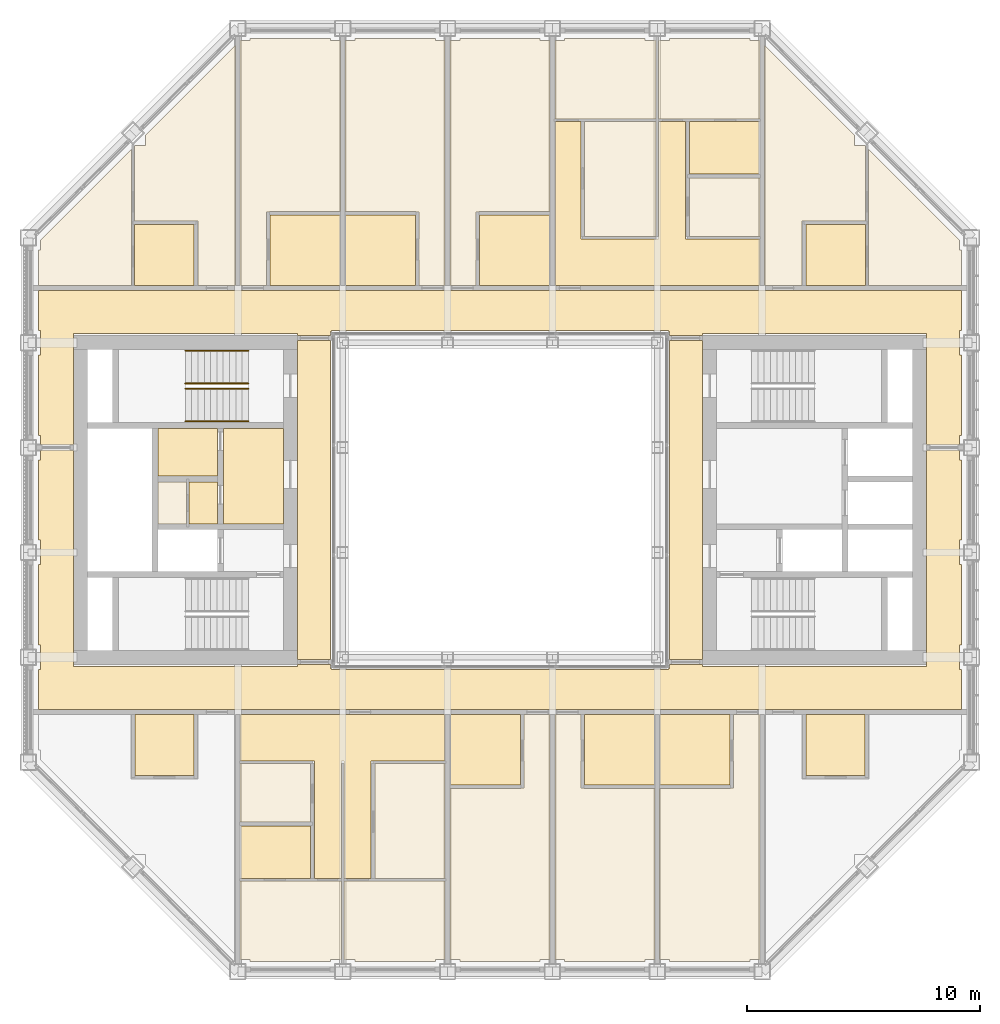
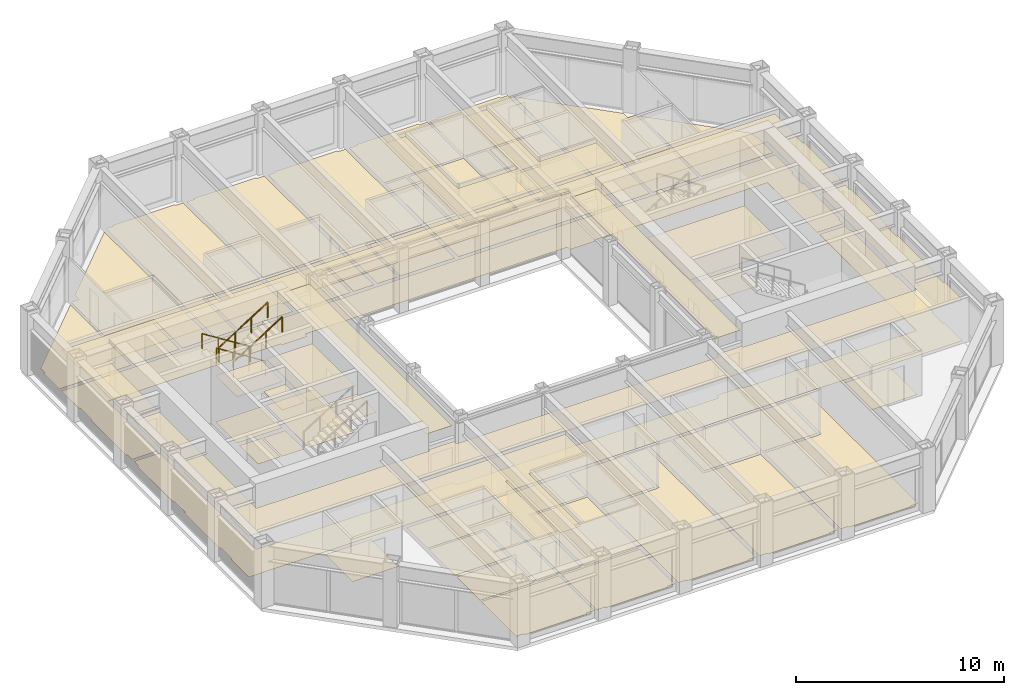
# One storey, part 16 of 18: 6 coverings, 4 railings.
"""IFC4 building model written with IfcOpenShell, lengths in metres."""

from ifc_helpers import new_model, si_unit, direction, frame, origin, origin_2d, place, context, subcontext, project, spatial, line, indexed_curve, circle, outline, extrude, material, layer, layer_set, type_object, element, save


model = new_model("IFC4")

# Units and contexts
model_context = context("Model", 3, precision=1e-05, world=origin(), true_north=direction((0.0, 1.0)))
body_context = subcontext(model_context, "Body", "Model", "MODEL_VIEW")
ifc_project = project(units=[si_unit("LENGTHUNIT", "METRE"), si_unit("AREAUNIT", "SQUARE_METRE"), si_unit("VOLUMEUNIT", "CUBIC_METRE"), si_unit("PLANEANGLEUNIT", "RADIAN"), si_unit("MASSUNIT", "GRAM", prefix="KILO")], contexts=[model_context])

# Site, building, storey
site_placement = place(None, origin())
site = spatial("IfcSite", under=ifc_project, at=site_placement, CompositionType="ELEMENT")
building_placement = place(site_placement, origin())
building = spatial("IfcBuilding", under=site, at=building_placement, Name="Msasa Ring Tower", CompositionType="ELEMENT")
storey_placement = place(building_placement, frame((0.0, 0.0, 227.050048828125)))
storey = spatial("IfcBuildingStorey", under=building, at=storey_placement, Name="L59", CompositionType="ELEMENT", Elevation=227.050048828125)

# Coverings
ifc_material_1 = material(Name="Gypsum plasterboard on a steel suspension grid", Category="steel")
ifc_layer_1 = layer(ifc_material_1, 0.014892578125)
ifc_layer_set_1 = layer_set([ifc_layer_1], Name="C1 SUSPENDED PLASTERBOARD CEILING 15")
covering_type_1 = type_object("IfcCoveringType", Name="C1 SUSPENDED PLASTERBOARD CEILING 15", PredefinedType="CEILING", material=ifc_layer_set_1)
covering_1_placement = place(storey_placement, frame((0.0, 0.0, 2.39990234375)))
element("IfcCovering", 1, at=covering_1_placement, inside=storey, type_object=covering_type_1, Name="Suspended Plasterboard Ceiling 15 circulation L59", PredefinedType="CEILING", context=body_context, shape_type="SweptSolid", body=[
    extrude(outline(indexed_curve([(8.699462890625, -7.150390625), (18.300537109375, -7.150390625), (18.300537109375, 2.1494140625), (19.724609375, 2.1494140625), (19.724609375, 1.724609375), (19.799560546875, 1.724609375), (19.799560546875, -1.724609375), (19.724609375, -1.724609375), (19.724609375, -2.775390625), (19.799560546875, -2.775390625), (19.799560546875, -6.224609375), (19.724609375, -6.224609375), (19.724609375, -7.275390625), (19.799560546875, -7.275390625), (19.799560546875, -8.99951171875), (-19.799560546875, -8.99951171875), (-19.799560546875, -7.275390625), (-19.724609375, -7.275390625), (-19.724609375, -6.224609375), (-19.799560546875, -6.224609375), (-19.799560546875, -2.775390625), (-19.724609375, -2.775390625), (-19.724609375, -1.724609375), (-19.799560546875, -1.724609375), (-19.799560546875, 1.724609375), (-19.724609375, 1.724609375), (-19.724609375, 2.1494140625), (-18.300537109375, 2.1494140625), (-18.300537109375, -7.150390625), (-8.699462890625, -7.150390625), (-8.699462890625, -7.050537109375), (-7.280029296875, -7.050537109375), (-7.280517578125, -7.23046875), (-7.22998046875, -7.23046875), (-7.22998046875, -7.280029296875), (7.22998046875, -7.280029296875), (7.22998046875, -7.23046875), (7.280517578125, -7.23046875), (7.280029296875, -7.050537109375), (8.699462890625, -7.050537109375)], segments=[line(1, 2, 3, 4, 5, 6, 7, 8, 9, 10, 11, 12, 13, 14, 15, 16, 17, 18, 19, 20, 21, 22, 23, 24, 25, 26, 27, 28, 29, 30, 31, 32, 33, 34, 35, 36, 37, 38, 39, 40, 1)], self_intersect=False)), origin(), (0.0, 0.0, 1.0), 0.01513671875),
    extrude(outline(indexed_curve([(19.799560546875, 7.275390625), (19.724609375, 7.275390625), (19.724609375, 6.224609375), (19.799560546875, 6.224609375), (19.799560546875, 2.775390625), (19.724609375, 2.775390625), (19.724609375, 2.3505859375), (18.300537109375, 2.3505859375), (18.300537109375, 7.150390625), (8.699462890625, 7.150390625), (8.699462890625, 7.050537109375), (7.280029296875, 7.050537109375), (7.280517578125, 7.23046875), (7.22998046875, 7.23046875), (7.22998046875, 7.280029296875), (-7.22998046875, 7.280029296875), (-7.22998046875, 7.23046875), (-7.280517578125, 7.23046875), (-7.280029296875, 7.050537109375), (-8.699462890625, 7.050537109375), (-8.699462890625, 7.150390625), (-18.300537109375, 7.150390625), (-18.300537109375, 2.3505859375), (-19.724609375, 2.3505859375), (-19.724609375, 2.775390625), (-19.799560546875, 2.775390625), (-19.799560546875, 6.224609375), (-19.724609375, 6.224609375), (-19.724609375, 7.275390625), (-19.799560546875, 7.275390625), (-19.799560546875, 8.99951171875), (19.799560546875, 8.99951171875)], segments=[line(1, 2, 3, 4, 5, 6, 7, 8, 9, 10, 11, 12, 13, 14, 15, 16, 17, 18, 19, 20, 21, 22, 23, 24, 25, 26, 27, 28, 29, 30, 31, 32, 1)], self_intersect=False)), origin(), (0.0, 0.0, 1.0), 0.01513671875),
    extrude(outline(indexed_curve([(-11.87451171875, -3.074462890625), (-11.87451171875, -1.275390625), (-9.300537109375, -1.275390625), (-9.300537109375, -3.074462890625)], segments=[line(1, 2, 3, 4, 1)], self_intersect=False)), origin(), (0.0, 0.0, 1.0), 0.01513671875),
    extrude(outline(indexed_curve([(-5.530517578125, -16.244384765625), (-6.689453125, -16.244384765625), (-6.689453125, -11.199462890625), (-6.810546875, -11.199462890625), (-6.810546875, -16.244384765625), (-7.969482421875, -16.244384765625), (-7.969482421875, -11.199462890625), (-11.1494140625, -11.199462890625), (-11.1494140625, -9.200439453125), (-2.3505859375, -9.200439453125), (-2.3505859375, -11.199462890625), (-5.530517578125, -11.199462890625)], segments=[line(1, 2, 3, 4, 5, 6, 7, 8, 9, 10, 11, 12, 1)], self_intersect=False)), origin(), (0.0, 0.0, 1.0), 0.01513671875),
    extrude(outline(indexed_curve([(3.469482421875, 16.244384765625), (3.469482421875, 11.199462890625), (6.810546875, 11.199462890625), (6.810546875, 16.244384765625), (7.969482421875, 16.244384765625), (7.969482421875, 11.199462890625), (11.1494140625, 11.199462890625), (11.1494140625, 9.200439453125), (2.3505859375, 9.200439453125), (2.3505859375, 16.244384765625)], segments=[line(1, 2, 3, 4, 5, 6, 7, 8, 9, 10, 1)], self_intersect=False)), origin(), (0.0, 0.0, 1.0), 0.01513671875),
    extrude(outline(indexed_curve([(9.300537109375, -3.074462890625), (9.300537109375, -1.275390625), (11.87451171875, -1.275390625), (11.87451171875, -3.074462890625)], segments=[line(1, 2, 3, 4, 1)], self_intersect=False)), origin(), (0.0, 0.0, 1.0), 0.01513671875),
    extrude(outline(indexed_curve([(9.300537109375, -1.0244140625), (9.300537109375, 3.074462890625), (14.674560546875, 3.074462890625), (14.674560546875, -1.0244140625)], segments=[line(1, 2, 3, 4, 1)], self_intersect=False)), origin(), (0.0, 0.0, 1.0), 0.01513671875),
])
covering_2_placement = place(storey_placement, frame((0.0, 0.0, 3.199951171875)))
element("IfcCovering", 2, at=covering_2_placement, inside=storey, type_object=covering_type_1, Name="Suspended Plasterboard Ceiling 15 public rooms L59", PredefinedType="CEILING", context=body_context, shape_type="SweptSolid", body=[
    extrude(outline(indexed_curve([(-7.280029296875, 6.849609375), (-7.280029296875, -6.849609375), (-8.699462890625, -6.849609375), (-8.699462890625, 6.849609375)], segments=[line(1, 2, 3, 4, 1)], self_intersect=False)), origin(), (0.0, 0.0, 1.0), 0.014892578125),
    extrude(outline(indexed_curve([(8.699462890625, 6.849609375), (8.699462890625, -6.849609375), (7.280029296875, -6.849609375), (7.280029296875, 6.849609375)], segments=[line(1, 2, 3, 4, 1)], self_intersect=False)), origin(), (0.0, 0.0, 1.0), 0.014892578125),
])
ifc_material_2 = material(Name="Mineral fibre ceiling tiles on an exposed steel grid", Category="steel")
ifc_layer_2 = layer(ifc_material_2, 0.02001953125)
ifc_layer_set_2 = layer_set([ifc_layer_2], Name="C3 ACOUSTIC MINERAL FIBRE TILE CEILING 20")
covering_type_2 = type_object("IfcCoveringType", Name="C3 ACOUSTIC MINERAL FIBRE TILE CEILING 20", PredefinedType="CEILING", material=ifc_layer_set_2)
covering_3_placement = place(storey_placement, frame((0.0, 0.0, 2.699951171875)))
element("IfcCovering", 3, at=covering_3_placement, inside=storey, type_object=covering_type_2, Name="Acoustic Mineral Fibre Tile Ceiling 20 L59", PredefinedType="CEILING", context=body_context, shape_type="SweptSolid", body=[
    extrude(outline(indexed_curve([(-12.12548828125, 1.025390625), (-14.674560546875, 1.025390625), (-14.674560546875, 3.074462890625), (-12.12548828125, 3.074462890625)], segments=[line(1, 2, 3, 4, 1)], self_intersect=False)), origin(), (0.0, 0.0, 1.0), 0.02001953125),
    extrude(outline(indexed_curve([(-12.12548828125, -1.0244140625), (-13.344482421875, -1.0244140625), (-13.344482421875, 0.7744140625), (-12.12548828125, 0.7744140625)], segments=[line(1, 2, 3, 4, 1)], self_intersect=False)), origin(), (0.0, 0.0, 1.0), 0.02001953125),
    extrude(outline(indexed_curve([(-9.300537109375, -1.0244140625), (-11.87451171875, -1.0244140625), (-11.87451171875, 3.074462890625), (-9.300537109375, 3.074462890625)], segments=[line(1, 2, 3, 4, 1)], self_intersect=False)), origin(), (0.0, 0.0, 1.0), 0.02001953125),
])
ifc_material_3 = material(Name="Wool-blend carpet on felt underlay", Category="textile")
ifc_layer_3 = layer(ifc_material_3, 0.011962890625)
ifc_layer_set_3 = layer_set([ifc_layer_3], Name="F2 CARPET ON UNDERLAY 12")
covering_type_3 = type_object("IfcCoveringType", Name="F2 CARPET ON UNDERLAY 12", PredefinedType="FLOORING", material=ifc_layer_set_3)
covering_4_placement = place(storey_placement, origin())
element("IfcCovering", 4, at=covering_4_placement, inside=storey, type_object=covering_type_3, Name="Carpet On Underlay 12 L59", PredefinedType="FLOORING", context=body_context, shape_type="SweptSolid", body=[
    extrude(outline(indexed_curve([(8.699462890625, -7.150390625), (18.300537109375, -7.150390625), (18.300537109375, 2.1494140625), (19.724609375, 2.1494140625), (19.724609375, 1.724609375), (19.799560546875, 1.724609375), (19.799560546875, -1.724609375), (19.724609375, -1.724609375), (19.724609375, -2.775390625), (19.799560546875, -2.775390625), (19.799560546875, -6.224609375), (19.724609375, -6.224609375), (19.724609375, -7.275390625), (19.799560546875, -7.275390625), (19.799560546875, -8.99951171875), (-19.799560546875, -8.99951171875), (-19.799560546875, -7.275390625), (-19.724609375, -7.275390625), (-19.724609375, -6.224609375), (-19.799560546875, -6.224609375), (-19.799560546875, -2.775390625), (-19.724609375, -2.775390625), (-19.724609375, -1.724609375), (-19.799560546875, -1.724609375), (-19.799560546875, 1.724609375), (-19.724609375, 1.724609375), (-19.724609375, 2.1494140625), (-18.300537109375, 2.1494140625), (-18.300537109375, -7.150390625), (-8.699462890625, -7.150390625), (-8.699462890625, -7.050537109375), (-7.280029296875, -7.050537109375), (-7.280517578125, -7.23046875), (-7.22998046875, -7.23046875), (-7.22998046875, -7.280029296875), (7.22998046875, -7.280029296875), (7.22998046875, -7.23046875), (7.280517578125, -7.23046875), (7.280029296875, -7.050537109375), (8.699462890625, -7.050537109375)], segments=[line(1, 2, 3, 4, 5, 6, 7, 8, 9, 10, 11, 12, 13, 14, 15, 16, 17, 18, 19, 20, 21, 22, 23, 24, 25, 26, 27, 28, 29, 30, 31, 32, 33, 34, 35, 36, 37, 38, 39, 40, 1)], self_intersect=False)), origin(), (0.0, 0.0, 1.0), 0.011962890625),
    extrude(outline(indexed_curve([(18.300537109375, 2.3505859375), (18.300537109375, 7.150390625), (8.699462890625, 7.150390625), (8.699462890625, 7.050537109375), (7.280029296875, 7.050537109375), (7.280517578125, 7.23046875), (7.22998046875, 7.23046875), (7.22998046875, 7.280029296875), (-7.22998046875, 7.280029296875), (-7.22998046875, 7.23046875), (-7.280517578125, 7.23046875), (-7.280029296875, 7.050537109375), (-8.699462890625, 7.050537109375), (-8.699462890625, 7.150390625), (-18.300537109375, 7.150390625), (-18.300537109375, 2.3505859375), (-19.724609375, 2.3505859375), (-19.724609375, 2.775390625), (-19.799560546875, 2.775390625), (-19.799560546875, 6.224609375), (-19.724609375, 6.224609375), (-19.724609375, 7.275390625), (-19.799560546875, 7.275390625), (-19.799560546875, 8.99951171875), (19.799560546875, 8.99951171875), (19.799560546875, 7.275390625), (19.724609375, 7.275390625), (19.724609375, 6.224609375), (19.799560546875, 6.224609375), (19.799560546875, 2.775390625), (19.724609375, 2.775390625), (19.724609375, 2.3505859375)], segments=[line(1, 2, 3, 4, 5, 6, 7, 8, 9, 10, 11, 12, 13, 14, 15, 16, 17, 18, 19, 20, 21, 22, 23, 24, 25, 26, 27, 28, 29, 30, 31, 32, 1)], self_intersect=False)), origin(), (0.0, 0.0, 1.0), 0.011962890625),
    extrude(outline(indexed_curve([(-19.799560546875, 10.724609375), (-19.724609375, 10.724609375), (-19.724609375, 11.138427734375), (-15.810546875, 15.052490234375), (-15.810546875, 9.200439453125), (-19.799560546875, 9.200439453125)], segments=[line(1, 2, 3, 4, 5, 6, 1)], self_intersect=False)), origin(), (0.0, 0.0, 1.0), 0.011962890625),
    extrude(outline(indexed_curve([(-12.969482421875, 9.200439453125), (-12.969482421875, 11.98046875), (-15.689453125, 11.98046875), (-15.689453125, 15.17333984375), (-15.638427734375, 15.224609375), (-15.224609375, 15.224609375), (-15.224609375, 15.638427734375), (-11.3505859375, 19.512451171875), (-11.3505859375, 9.200439453125)], segments=[line(1, 2, 3, 4, 5, 6, 7, 8, 9, 1)], self_intersect=False)), origin(), (0.0, 0.0, 1.0), 0.011962890625),
    extrude(outline(indexed_curve([(-13.45556640625, -1.0244140625), (-14.674560546875, -1.0244140625), (-14.674560546875, 0.7744140625), (-13.45556640625, 0.7744140625)], segments=[line(1, 2, 3, 4, 1)], self_intersect=False)), origin(), (0.0, 0.0, 1.0), 0.011962890625),
    extrude(outline(indexed_curve([(-6.810546875, -16.35546875), (-6.810546875, -19.724609375), (-7.275390625, -19.724609375), (-7.275390625, -19.799560546875), (-10.724609375, -19.799560546875), (-10.724609375, -19.724609375), (-11.138427734375, -19.724609375), (-11.1494140625, -19.71337890625), (-11.1494140625, -16.35546875)], segments=[line(1, 2, 3, 4, 5, 6, 7, 8, 9, 1)], self_intersect=False)), origin(), (0.0, 0.0, 1.0), 0.011962890625),
    extrude(outline(indexed_curve([(-6.810546875, -16.244384765625), (-7.969482421875, -16.244384765625), (-7.969482421875, -11.199462890625), (-11.1494140625, -11.199462890625), (-11.1494140625, -9.200439453125), (-2.3505859375, -9.200439453125), (-2.3505859375, -11.199462890625), (-5.530517578125, -11.199462890625), (-5.530517578125, -16.244384765625), (-6.689453125, -16.244384765625), (-6.689453125, -11.199462890625), (-6.810546875, -11.199462890625)], segments=[line(1, 2, 3, 4, 5, 6, 7, 8, 9, 10, 11, 12, 1)], self_intersect=False)), origin(), (0.0, 0.0, 1.0), 0.011962890625),
    extrude(outline(indexed_curve([(-8.130615234375, -13.819580078125), (-11.1494140625, -13.819580078125), (-11.1494140625, -11.305419921875), (-8.130615234375, -11.305419921875)], segments=[line(1, 2, 3, 4, 1)], self_intersect=False)), origin(), (0.0, 0.0, 1.0), 0.011962890625),
    extrude(outline(indexed_curve([(-11.1494140625, 19.71337890625), (-11.138427734375, 19.724609375), (-10.724609375, 19.724609375), (-10.724609375, 19.799560546875), (-7.275390625, 19.799560546875), (-7.275390625, 19.724609375), (-6.8505859375, 19.724609375), (-6.8505859375, 12.37548828125), (-9.89990234375, 12.37548828125), (-9.89990234375, 12.3505859375), (-10.025390625, 12.35009765625), (-10.025390625, 9.200439453125), (-11.1494140625, 9.200439453125)], segments=[line(1, 2, 3, 4, 5, 6, 7, 8, 9, 10, 11, 12, 13, 1)], self_intersect=False)), origin(), (0.0, 0.0, 1.0), 0.011962890625),
    extrude(outline(indexed_curve([(-6.224609375, -19.799560546875), (-6.224609375, -19.724609375), (-6.689453125, -19.724609375), (-6.689453125, -16.35546875), (-2.3505859375, -16.35546875), (-2.3505859375, -19.724609375), (-2.775390625, -19.724609375), (-2.775390625, -19.799560546875)], segments=[line(1, 2, 3, 4, 5, 6, 7, 8, 1)], self_intersect=False)), origin(), (0.0, 0.0, 1.0), 0.011962890625),
    extrude(outline(indexed_curve([(-2.3505859375, 9.200439453125), (-3.474609375, 9.200439453125), (-3.474609375, 12.35009765625), (-3.60009765625, 12.3505859375), (-3.60009765625, 12.37548828125), (-6.6494140625, 12.37548828125), (-6.6494140625, 19.724609375), (-6.224609375, 19.724609375), (-6.224609375, 19.799560546875), (-2.775390625, 19.799560546875), (-2.775390625, 19.724609375), (-2.3505859375, 19.724609375)], segments=[line(1, 2, 3, 4, 5, 6, 7, 8, 9, 10, 11, 12, 1)], self_intersect=False)), origin(), (0.0, 0.0, 1.0), 0.011962890625),
    extrude(outline(indexed_curve([(2.1494140625, -19.724609375), (1.724609375, -19.724609375), (1.724609375, -19.799560546875), (-1.724609375, -19.799560546875), (-1.724609375, -19.724609375), (-2.1494140625, -19.724609375), (-2.1494140625, -12.37548828125), (0.89990234375, -12.37548828125), (0.89990234375, -12.3505859375), (1.025390625, -12.35009765625), (1.025390625, -9.200439453125), (2.1494140625, -9.200439453125)], segments=[line(1, 2, 3, 4, 5, 6, 7, 8, 9, 10, 11, 12, 1)], self_intersect=False)), origin(), (0.0, 0.0, 1.0), 0.011962890625),
    extrude(outline(indexed_curve([(-2.1494140625, 19.724609375), (-1.724609375, 19.724609375), (-1.724609375, 19.799560546875), (1.724609375, 19.799560546875), (1.724609375, 19.724609375), (2.1494140625, 19.724609375), (2.1494140625, 12.37548828125), (-0.89990234375, 12.37548828125), (-0.89990234375, 12.3505859375), (-1.025390625, 12.35009765625), (-1.025390625, 9.200439453125), (-2.1494140625, 9.200439453125)], segments=[line(1, 2, 3, 4, 5, 6, 7, 8, 9, 10, 11, 12, 1)], self_intersect=False)), origin(), (0.0, 0.0, 1.0), 0.011962890625),
    extrude(outline(indexed_curve([(6.810546875, 16.244384765625), (7.969482421875, 16.244384765625), (7.969482421875, 11.199462890625), (11.1494140625, 11.199462890625), (11.1494140625, 9.200439453125), (2.3505859375, 9.200439453125), (2.3505859375, 16.244384765625), (3.469482421875, 16.244384765625), (3.469482421875, 11.199462890625), (6.810546875, 11.199462890625)], segments=[line(1, 2, 3, 4, 5, 6, 7, 8, 9, 10, 1)], self_intersect=False)), origin(), (0.0, 0.0, 1.0), 0.011962890625),
    extrude(outline(indexed_curve([(6.224609375, 19.799560546875), (6.224609375, 19.724609375), (6.689453125, 19.724609375), (6.689453125, 16.35546875), (2.3505859375, 16.35546875), (2.3505859375, 19.724609375), (2.775390625, 19.724609375), (2.775390625, 19.799560546875)], segments=[line(1, 2, 3, 4, 5, 6, 7, 8, 1)], self_intersect=False)), origin(), (0.0, 0.0, 1.0), 0.011962890625),
    extrude(outline(indexed_curve([(2.3505859375, -9.200439453125), (3.474609375, -9.200439453125), (3.474609375, -12.35009765625), (3.60009765625, -12.3505859375), (3.60009765625, -12.37548828125), (6.6494140625, -12.37548828125), (6.6494140625, -19.724609375), (6.224609375, -19.724609375), (6.224609375, -19.799560546875), (2.775390625, -19.799560546875), (2.775390625, -19.724609375), (2.3505859375, -19.724609375)], segments=[line(1, 2, 3, 4, 5, 6, 7, 8, 9, 10, 11, 12, 1)], self_intersect=False)), origin(), (0.0, 0.0, 1.0), 0.011962890625),
    extrude(outline(indexed_curve([(6.810546875, 19.724609375), (7.275390625, 19.724609375), (7.275390625, 19.799560546875), (10.724609375, 19.799560546875), (10.724609375, 19.724609375), (11.138427734375, 19.724609375), (11.1494140625, 19.71337890625), (11.1494140625, 16.35546875), (6.810546875, 16.35546875)], segments=[line(1, 2, 3, 4, 5, 6, 7, 8, 9, 1)], self_intersect=False)), origin(), (0.0, 0.0, 1.0), 0.011962890625),
    extrude(outline(indexed_curve([(11.1494140625, -9.200439453125), (11.1494140625, -19.71337890625), (11.138427734375, -19.724609375), (10.724609375, -19.724609375), (10.724609375, -19.799560546875), (7.275390625, -19.799560546875), (7.275390625, -19.724609375), (6.8505859375, -19.724609375), (6.8505859375, -12.37548828125), (9.89990234375, -12.37548828125), (9.89990234375, -12.3505859375), (10.025390625, -12.35009765625), (10.025390625, -9.200439453125)], segments=[line(1, 2, 3, 4, 5, 6, 7, 8, 9, 10, 11, 12, 13, 1)], self_intersect=False)), origin(), (0.0, 0.0, 1.0), 0.011962890625),
    extrude(outline(indexed_curve([(11.1494140625, 13.819580078125), (11.1494140625, 11.305419921875), (8.130615234375, 11.305419921875), (8.130615234375, 13.819580078125)], segments=[line(1, 2, 3, 4, 1)], self_intersect=False)), origin(), (0.0, 0.0, 1.0), 0.011962890625),
    extrude(outline(indexed_curve([(15.224609375, 15.638427734375), (15.224609375, 15.224609375), (15.638427734375, 15.224609375), (15.689453125, 15.17333984375), (15.689453125, 11.98046875), (12.969482421875, 11.98046875), (12.969482421875, 9.200439453125), (11.3505859375, 9.200439453125), (11.3505859375, 19.512451171875)], segments=[line(1, 2, 3, 4, 5, 6, 7, 8, 9, 1)], self_intersect=False)), origin(), (0.0, 0.0, 1.0), 0.011962890625),
    extrude(outline(indexed_curve([(19.799560546875, 9.200439453125), (15.810546875, 9.200439453125), (15.810546875, 15.052490234375), (19.724609375, 11.138427734375), (19.724609375, 10.724609375), (19.799560546875, 10.724609375)], segments=[line(1, 2, 3, 4, 5, 6, 1)], self_intersect=False)), origin(), (0.0, 0.0, 1.0), 0.011962890625),
])
ifc_material_4 = material(Name="Porcelain floor tiles in adhesive", Category="ceramic")
ifc_layer_4 = layer(ifc_material_4, 0.010009765625)
ifc_layer_set_4 = layer_set([ifc_layer_4], Name="F4 PORCELAIN TILE ON ADHESIVE 10")
covering_type_4 = type_object("IfcCoveringType", Name="F4 PORCELAIN TILE ON ADHESIVE 10", PredefinedType="FLOORING", material=ifc_layer_set_4)
covering_5_placement = place(storey_placement, origin())
element("IfcCovering", 5, at=covering_5_placement, inside=storey, type_object=covering_type_4, Name="Porcelain Tile On Adhesive 10 L59", PredefinedType="FLOORING", context=body_context, shape_type="SweptSolid", body=[
    extrude(outline(indexed_curve([(-15.689453125, 11.819580078125), (-13.130615234375, 11.819580078125), (-13.130615234375, 9.200439453125), (-15.689453125, 9.200439453125)], segments=[line(1, 2, 3, 4, 1)], self_intersect=False)), origin(), (0.0, 0.0, 1.0), 0.010009765625),
    extrude(outline(indexed_curve([(-13.130615234375, -9.200439453125), (-13.130615234375, -11.819580078125), (-15.66943359375, -11.819580078125), (-15.66943359375, -9.200439453125)], segments=[line(1, 2, 3, 4, 1)], self_intersect=False)), origin(), (0.0, 0.0, 1.0), 0.010009765625),
    extrude(outline(indexed_curve([(-8.130615234375, -13.98046875), (-8.130615234375, -16.244384765625), (-11.1494140625, -16.244384765625), (-11.1494140625, -13.98046875)], segments=[line(1, 2, 3, 4, 1)], self_intersect=False)), origin(), (0.0, 0.0, 1.0), 0.010009765625),
    extrude(outline(indexed_curve([(-9.87451171875, 9.200439453125), (-9.87451171875, 12.224609375), (-6.8505859375, 12.224609375), (-6.8505859375, 9.200439453125)], segments=[line(1, 2, 3, 4, 1)], self_intersect=False)), origin(), (0.0, 0.0, 1.0), 0.010009765625),
    extrude(outline(indexed_curve([(-6.6494140625, 9.200439453125), (-6.6494140625, 12.224609375), (-3.62548828125, 12.224609375), (-3.62548828125, 9.200439453125)], segments=[line(1, 2, 3, 4, 1)], self_intersect=False)), origin(), (0.0, 0.0, 1.0), 0.010009765625),
    extrude(outline(indexed_curve([(0.87451171875, -9.200439453125), (0.87451171875, -12.224609375), (-2.1494140625, -12.224609375), (-2.1494140625, -9.200439453125)], segments=[line(1, 2, 3, 4, 1)], self_intersect=False)), origin(), (0.0, 0.0, 1.0), 0.010009765625),
    extrude(outline(indexed_curve([(2.1494140625, 9.200439453125), (-0.87451171875, 9.200439453125), (-0.87451171875, 12.224609375), (2.1494140625, 12.224609375)], segments=[line(1, 2, 3, 4, 1)], self_intersect=False)), origin(), (0.0, 0.0, 1.0), 0.010009765625),
    extrude(outline(indexed_curve([(6.6494140625, -9.200439453125), (6.6494140625, -12.224609375), (3.62548828125, -12.224609375), (3.62548828125, -9.200439453125)], segments=[line(1, 2, 3, 4, 1)], self_intersect=False)), origin(), (0.0, 0.0, 1.0), 0.010009765625),
    extrude(outline(indexed_curve([(9.87451171875, -9.200439453125), (9.87451171875, -12.224609375), (6.8505859375, -12.224609375), (6.8505859375, -9.200439453125)], segments=[line(1, 2, 3, 4, 1)], self_intersect=False)), origin(), (0.0, 0.0, 1.0), 0.010009765625),
    extrude(outline(indexed_curve([(11.1494140625, 16.244384765625), (11.1494140625, 13.98046875), (8.130615234375, 13.98046875), (8.130615234375, 16.244384765625)], segments=[line(1, 2, 3, 4, 1)], self_intersect=False)), origin(), (0.0, 0.0, 1.0), 0.010009765625),
    extrude(outline(indexed_curve([(15.66943359375, -9.200439453125), (15.66943359375, -11.819580078125), (13.130615234375, -11.819580078125), (13.130615234375, -9.200439453125)], segments=[line(1, 2, 3, 4, 1)], self_intersect=False)), origin(), (0.0, 0.0, 1.0), 0.010009765625),
    extrude(outline(indexed_curve([(13.130615234375, 11.819580078125), (15.689453125, 11.819580078125), (15.689453125, 9.200439453125), (13.130615234375, 9.200439453125)], segments=[line(1, 2, 3, 4, 1)], self_intersect=False)), origin(), (0.0, 0.0, 1.0), 0.010009765625),
])
ifc_material_5 = material(Name="Welded vinyl safety sheet flooring", Category="vinyl")
ifc_layer_5 = layer(ifc_material_5, 0.0029296875)
ifc_layer_set_5 = layer_set([ifc_layer_5], Name="F5 RESILIENT SHEET FLOORING 3")
covering_type_5 = type_object("IfcCoveringType", Name="F5 RESILIENT SHEET FLOORING 3", PredefinedType="FLOORING", material=ifc_layer_set_5)
covering_6_placement = place(storey_placement, origin())
element("IfcCovering", 6, at=covering_6_placement, inside=storey, type_object=covering_type_5, Name="Resilient Sheet Flooring 3 L59", PredefinedType="FLOORING", context=body_context, shape_type="SweptSolid", body=[
    extrude(outline(indexed_curve([(-14.674560546875, 3.074462890625), (-12.12548828125, 3.074462890625), (-12.12548828125, 1.025390625), (-14.674560546875, 1.025390625)], segments=[line(1, 2, 3, 4, 1)], self_intersect=False)), origin(), (0.0, 0.0, 1.0), 0.0029296875),
    extrude(outline(indexed_curve([(-13.344482421875, -1.0244140625), (-13.344482421875, 0.7744140625), (-12.12548828125, 0.7744140625), (-12.12548828125, -1.0244140625)], segments=[line(1, 2, 3, 4, 1)], self_intersect=False)), origin(), (0.0, 0.0, 1.0), 0.0029296875),
    extrude(outline(indexed_curve([(-11.87451171875, -1.0244140625), (-11.87451171875, 3.074462890625), (-9.300537109375, 3.074462890625), (-9.300537109375, -1.0244140625)], segments=[line(1, 2, 3, 4, 1)], self_intersect=False)), origin(), (0.0, 0.0, 1.0), 0.0029296875),
    extrude(outline(indexed_curve([(-5.369384765625, -16.244384765625), (-5.369384765625, -11.305419921875), (-2.3505859375, -11.305419921875), (-2.3505859375, -16.244384765625)], segments=[line(1, 2, 3, 4, 1)], self_intersect=False)), origin(), (0.0, 0.0, 1.0), 0.0029296875),
    extrude(outline(indexed_curve([(3.630615234375, 16.244384765625), (6.689453125, 16.244384765625), (6.689453125, 11.305419921875), (3.630615234375, 11.305419921875)], segments=[line(1, 2, 3, 4, 1)], self_intersect=False)), origin(), (0.0, 0.0, 1.0), 0.0029296875),
])

# Railings
ifc_material_6 = material(Name="Stainless steel", Category="steel")
railing_type = type_object("IfcRailingType", Name="HR1 HANDRAIL 900", PredefinedType="HANDRAIL", material=ifc_material_6)
for number, where, name in (
    (7, (-10.800048828125, 5.0, 0.17041015625), "Handrail stair SWB L59 1"),
    (8, (-10.800048828125, 6.39990234375, 0.17041015625), "Handrail stair SWB L59 2"),
):
    element("IfcRailing", number, at=place(storey_placement, frame(where)), inside=storey, type_object=railing_type, Name=name, PredefinedType="HANDRAIL", context=body_context, shape_type="SweptSolid", body=[
        extrude(circle(Radius=0.02392578125, at=origin_2d()), frame((0.0, 0.0, 0.8759765625), z_axis=(-0.845579735284, 0.0, 0.533849146555), x_axis=(0.0, -1.0, 0.0)), (0.0, 0.0, 1.0), 3.193115234375),
        extrude(circle(Radius=0.02099609375, at=origin_2d()), origin(), (0.0, 0.0, 1.0), 0.851806640625),
        extrude(circle(Radius=0.02099609375, at=origin_2d()), frame((-0.89990234375, 0.0, 0.568115234375)), (0.0, 0.0, 1.0), 0.851806640625),
        extrude(circle(Radius=0.02099609375, at=origin_2d()), frame((-1.800048828125, 0.0, 1.136474609375)), (0.0, 0.0, 1.0), 0.851806640625),
        extrude(circle(Radius=0.02099609375, at=origin_2d()), frame((-2.699951171875, 0.0, 1.70458984375)), (0.0, 0.0, 1.0), 0.851806640625),
    ])
for number, where, name in (
    (9, (-13.5, 3.375, 2.04541015625), "Handrail stair SWB L59 3"),
    (10, (-13.5, 4.77490234375, 2.04541015625), "Handrail stair SWB L59 4"),
):
    element("IfcRailing", number, at=place(storey_placement, frame(where)), inside=storey, type_object=railing_type, Name=name, PredefinedType="HANDRAIL", context=body_context, shape_type="SweptSolid", body=[
        extrude(circle(Radius=0.02392578125, at=origin_2d()), frame((0.0, 0.0, 0.8759765625), z_axis=(0.845579735284, 0.0, 0.533849146555), x_axis=(0.0, 1.0, 0.0)), (0.0, 0.0, 1.0), 3.193115234375),
        extrude(circle(Radius=0.02099609375, at=origin_2d()), origin(), (0.0, 0.0, 1.0), 0.851806640625),
        extrude(circle(Radius=0.02099609375, at=origin_2d()), frame((0.89990234375, 0.0, 0.568115234375)), (0.0, 0.0, 1.0), 0.851806640625),
        extrude(circle(Radius=0.02099609375, at=origin_2d()), frame((1.800048828125, 0.0, 1.136474609375)), (0.0, 0.0, 1.0), 0.851806640625),
        extrude(circle(Radius=0.02099609375, at=origin_2d()), frame((2.699951171875, 0.0, 1.70458984375)), (0.0, 0.0, 1.0), 0.851806640625),
    ])

save(model, "model.ifc")
